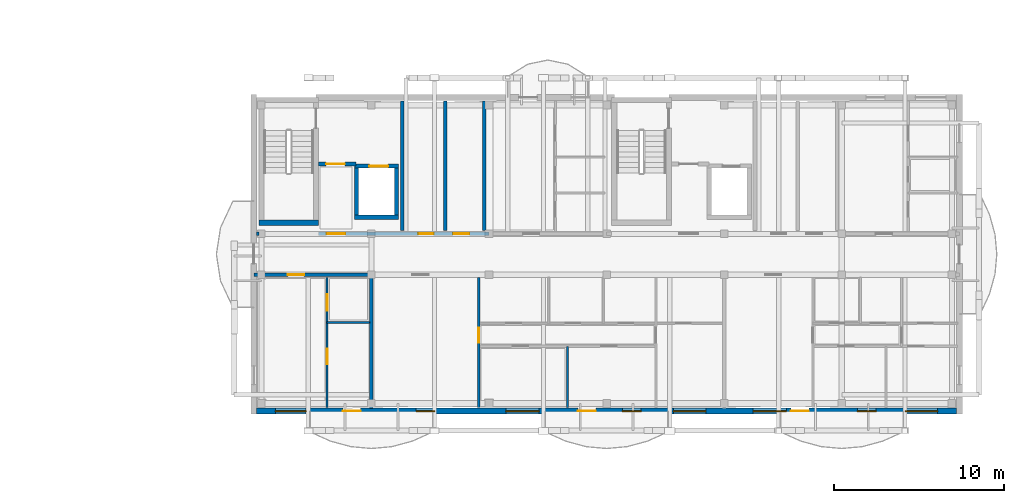
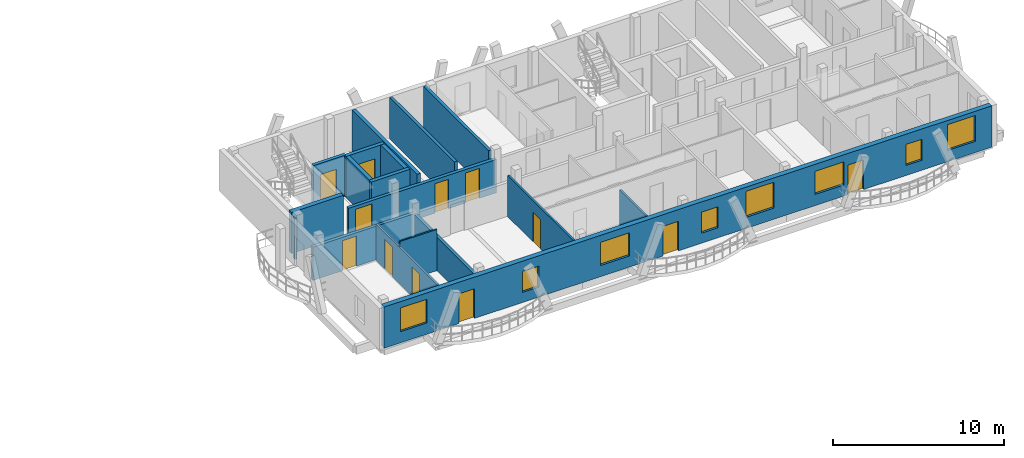
# One storey, part 25 of 42: 18 walls, 12 doors, 8 windows, 20 openings.
"""IFC4 building model written with IfcOpenShell, lengths in metres."""

from ifc_helpers import new_model, si_unit, direction, frame, frame_2d, origin, origin_with_axes, place, context, subcontext, project, spatial, rectangle, extrude, material, layer, layer_set, type_object, element, fill, save


model = new_model("IFC4")

# Units and contexts
model_context = context("Model", 3, precision=1e-05, world=origin(), true_north=direction((0.0, 1.0)))
body_context = subcontext(model_context, "Body", "Model", "MODEL_VIEW")
ifc_project = project(units=[si_unit("LENGTHUNIT", "METRE"), si_unit("AREAUNIT", "SQUARE_METRE"), si_unit("VOLUMEUNIT", "CUBIC_METRE"), si_unit("PLANEANGLEUNIT", "RADIAN"), si_unit("MASSUNIT", "GRAM", prefix="KILO")], contexts=[model_context])

# Site, building, storey
site_placement = place(None, origin())
site = spatial("IfcSite", under=ifc_project, at=site_placement, CompositionType="ELEMENT")
building_placement = place(site_placement, origin())
building = spatial("IfcBuilding", under=site, at=building_placement, Name="Zavelmont Quarter", CompositionType="ELEMENT")
storey_placement = place(building_placement, frame((0.0, 0.0, 24.0)))
storey = spatial("IfcBuildingStorey", under=building, at=storey_placement, Name="L07", CompositionType="ELEMENT", Elevation=24.0)

# Wall, openings, doors, windows
ifc_material_1 = material(Name="Natural Belgian limestone", Category="masonry")
ifc_layer_1 = layer(ifc_material_1, 0.340087890625)
ifc_layer_set_1 = layer_set([ifc_layer_1], Name="Natural Belgian limestone")
wall_type_1 = type_object("IfcWallType", Name="EW03", PredefinedType="STANDARD", material=ifc_layer_set_1)
wall_1_placement = place(storey_placement, frame((126.760009765625, 0.0, 0.0), z_axis=(0.0, 0.0, 1.0), x_axis=(1.0, 0.0, 0.0)))
wall_1 = element("IfcWall", 1, at=wall_1_placement, inside=storey, type_object=wall_type_1, Name="L07 exterior limestone wall EW03", PredefinedType="STANDARD", context=body_context, shape_type="SweptSolid", body=[
    extrude(rectangle(XDim=41.080078125, YDim=0.340087890625, at=frame_2d((20.5400390625, 0.0))), origin(), (0.0, 0.0, 1.0), 2.949951171875),
])
opening_1_placement = place(wall_1_placement, frame((5.06005859375, 0.0, 0.0)))
opening_1 = element("IfcOpeningElement", 2, at=opening_1_placement, cuts=wall_1, Name="Opening DR04A", PredefinedType="OPENING", context=body_context, shape_type="SweptSolid", body=[
    extrude(rectangle(XDim=1.050048828125, YDim=2.1201171875, at=frame_2d((0.52490234375, 1.06005859375))), frame((0.0, 0.18212890625, 0.0), z_axis=(0.0, -1.0, 0.0), x_axis=(1.0, 0.0, 0.0)), (0.0, 0.0, 1.0), 0.364013671875),
])
opening_2_placement = place(wall_1_placement, frame((18.860107421875, 0.0, 0.0)))
opening_2 = element("IfcOpeningElement", 3, at=opening_2_placement, cuts=wall_1, Name="Opening DR04A", PredefinedType="OPENING", context=body_context, shape_type="SweptSolid", body=[
    extrude(rectangle(XDim=1.050048828125, YDim=2.1201171875, at=frame_2d((0.52490234375, 1.06005859375))), frame((0.0, 0.18212890625, 0.0), z_axis=(0.0, -1.0, 0.0), x_axis=(1.0, 0.0, 0.0)), (0.0, 0.0, 1.0), 0.364013671875),
])
opening_3_placement = place(wall_1_placement, frame((31.358642578125, 0.0, 0.0)))
opening_3 = element("IfcOpeningElement", 4, at=opening_3_placement, cuts=wall_1, Name="Opening DR04A", PredefinedType="OPENING", context=body_context, shape_type="SweptSolid", body=[
    extrude(rectangle(XDim=1.050048828125, YDim=2.1201171875, at=frame_2d((0.52490234375, 1.06005859375))), frame((0.0, 0.18212890625, 0.0), z_axis=(0.0, -1.0, 0.0), x_axis=(1.0, 0.0, 0.0)), (0.0, 0.0, 1.0), 0.364013671875),
])
opening_4_placement = place(wall_1_placement, frame((1.110107421875, 0.0, 0.800048828125)))
opening_4 = element("IfcOpeningElement", 5, at=opening_4_placement, cuts=wall_1, Name="Opening WN02", PredefinedType="OPENING", context=body_context, shape_type="SweptSolid", body=[
    extrude(rectangle(XDim=1.800048828125, YDim=1.699951171875, at=frame_2d((0.89990234375, 0.85009765625))), frame((0.0, 0.18212890625, 0.0), z_axis=(0.0, -1.0, 0.0), x_axis=(1.0, 0.0, 0.0)), (0.0, 0.0, 1.0), 0.364013671875),
])
opening_5_placement = place(wall_1_placement, frame((9.360107421875, 0.0, 0.719970703125)))
opening_5 = element("IfcOpeningElement", 6, at=opening_5_placement, cuts=wall_1, Name="Opening WN09", PredefinedType="OPENING", context=body_context, shape_type="SweptSolid", body=[
    extrude(rectangle(XDim=1.10009765625, YDim=1.5, at=frame_2d((0.550048828125, 0.75))), frame((0.0, 0.18212890625, 0.0), z_axis=(0.0, -1.0, 0.0), x_axis=(1.0, 0.0, 0.0)), (0.0, 0.0, 1.0), 0.364013671875),
])
opening_6_placement = place(wall_1_placement, frame((14.635009765625, 0.0, 0.800048828125)))
opening_6 = element("IfcOpeningElement", 7, at=opening_6_placement, cuts=wall_1, Name="Opening WN24", PredefinedType="OPENING", context=body_context, shape_type="SweptSolid", body=[
    extrude(rectangle(XDim=1.949951171875, YDim=1.64990234375, at=frame_2d((0.97509765625, 0.824951171875))), frame((0.0, 0.18212890625, 0.0), z_axis=(0.0, -1.0, 0.0), x_axis=(1.0, 0.0, 0.0)), (0.0, 0.0, 1.0), 0.364013671875),
])
opening_7_placement = place(wall_1_placement, frame((21.4599609375, 0.0, 0.719970703125)))
opening_7 = element("IfcOpeningElement", 8, at=opening_7_placement, cuts=wall_1, Name="Opening WN09", PredefinedType="OPENING", context=body_context, shape_type="SweptSolid", body=[
    extrude(rectangle(XDim=1.10009765625, YDim=1.5, at=frame_2d((0.550048828125, 0.75))), frame((0.0, 0.18212890625, 0.0), z_axis=(0.0, -1.0, 0.0), x_axis=(1.0, 0.0, 0.0)), (0.0, 0.0, 1.0), 0.364013671875),
])
opening_8_placement = place(wall_1_placement, frame((24.4599609375, 0.0, 0.800048828125)))
opening_8 = element("IfcOpeningElement", 9, at=opening_8_placement, cuts=wall_1, Name="Opening WN20", PredefinedType="OPENING", context=body_context, shape_type="SweptSolid", body=[
    extrude(rectangle(XDim=1.89990234375, YDim=1.85009765625, at=frame_2d((0.949951171875, 0.925048828125))), frame((0.0, 0.18212890625, 0.0), z_axis=(0.0, -1.0, 0.0), x_axis=(1.0, 0.0, 0.0)), (0.0, 0.0, 1.0), 0.364013671875),
])
opening_9_placement = place(wall_1_placement, frame((29.135009765625, 0.0, 0.800048828125)))
opening_9 = element("IfcOpeningElement", 10, at=opening_9_placement, cuts=wall_1, Name="Opening WN24", PredefinedType="OPENING", context=body_context, shape_type="SweptSolid", body=[
    extrude(rectangle(XDim=1.949951171875, YDim=1.64990234375, at=frame_2d((0.97509765625, 0.824951171875))), frame((0.0, 0.18212890625, 0.0), z_axis=(0.0, -1.0, 0.0), x_axis=(1.0, 0.0, 0.0)), (0.0, 0.0, 1.0), 0.364013671875),
])
opening_10_placement = place(wall_1_placement, frame((35.260009765625, 0.0, 0.719970703125)))
opening_10 = element("IfcOpeningElement", 11, at=opening_10_placement, cuts=wall_1, Name="Opening WN09", PredefinedType="OPENING", context=body_context, shape_type="SweptSolid", body=[
    extrude(rectangle(XDim=1.10009765625, YDim=1.5, at=frame_2d((0.550048828125, 0.75))), frame((0.0, 0.18212890625, 0.0), z_axis=(0.0, -1.0, 0.0), x_axis=(1.0, 0.0, 0.0)), (0.0, 0.0, 1.0), 0.364013671875),
])
opening_11_placement = place(wall_1_placement, frame((38.06005859375, 0.0, 0.800048828125)))
opening_11 = element("IfcOpeningElement", 12, at=opening_11_placement, cuts=wall_1, Name="Opening WN20", PredefinedType="OPENING", context=body_context, shape_type="SweptSolid", body=[
    extrude(rectangle(XDim=1.89990234375, YDim=1.85009765625, at=frame_2d((0.949951171875, 0.925048828125))), frame((0.0, 0.18212890625, 0.0), z_axis=(0.0, -1.0, 0.0), x_axis=(1.0, 0.0, 0.0)), (0.0, 0.0, 1.0), 0.364013671875),
])
ifc_material_2 = material(Name="Thermally broken aluminium and double safety glass", Category="aluminium")
door_type_1 = type_object("IfcDoorType", Name="DR04A", OperationType="NOTDEFINED", PredefinedType="DOOR", material=ifc_material_2)
door_1_placement = place(opening_1_placement, origin_with_axes())
door_1 = element("IfcDoor", 13, at=door_1_placement, inside=storey, type_object=door_type_1, Name="Block D L07 glazed balcony door", OperationType="SINGLE_SWING_RIGHT", OverallHeight=2.1201171875, OverallWidth=1.050048828125, PredefinedType="DOOR", context=body_context, shape_type="SweptSolid", body=[
    extrude(rectangle(XDim=1.050048828125, YDim=2.1201171875, at=frame_2d((0.52490234375, 1.06005859375))), frame((0.0, 0.02490234375, 0.0), z_axis=(0.0, -1.0, 0.0), x_axis=(1.0, 0.0, 0.0)), (0.0, 0.0, 1.0), 0.050048828125),
])
fill(opening_1, door_1)
door_2_placement = place(opening_2_placement, origin_with_axes())
door_2 = element("IfcDoor", 14, at=door_2_placement, inside=storey, type_object=door_type_1, Name="Block D L07 glazed balcony door", OperationType="SINGLE_SWING_RIGHT", OverallHeight=2.1201171875, OverallWidth=1.050048828125, PredefinedType="DOOR", context=body_context, shape_type="SweptSolid", body=[
    extrude(rectangle(XDim=1.050048828125, YDim=2.1201171875, at=frame_2d((0.52490234375, 1.06005859375))), frame((0.0, 0.02490234375, 0.0), z_axis=(0.0, -1.0, 0.0), x_axis=(1.0, 0.0, 0.0)), (0.0, 0.0, 1.0), 0.050048828125),
])
fill(opening_2, door_2)
door_3_placement = place(opening_3_placement, origin_with_axes())
door_3 = element("IfcDoor", 15, at=door_3_placement, inside=storey, type_object=door_type_1, Name="Block D L07 glazed balcony door", OperationType="SINGLE_SWING_RIGHT", OverallHeight=2.1201171875, OverallWidth=1.050048828125, PredefinedType="DOOR", context=body_context, shape_type="SweptSolid", body=[
    extrude(rectangle(XDim=1.050048828125, YDim=2.1201171875, at=frame_2d((0.52490234375, 1.06005859375))), frame((0.0, 0.02490234375, 0.0), z_axis=(0.0, -1.0, 0.0), x_axis=(1.0, 0.0, 0.0)), (0.0, 0.0, 1.0), 0.050048828125),
])
fill(opening_3, door_3)
ifc_material_3 = material(Name="Double low-E insulated glazing in thermally broken aluminium frame", Category="aluminium")
window_type_1 = type_object("IfcWindowType", Name="WN02", PartitioningType="SINGLE_PANEL", PredefinedType="WINDOW", material=ifc_material_3)
window_1_placement = place(opening_4_placement, origin_with_axes())
window_1 = element("IfcWindow", 16, at=window_1_placement, inside=storey, type_object=window_type_1, Name="L07 window WN02", OverallHeight=1.699951171875, OverallWidth=1.800048828125, PartitioningType="SINGLE_PANEL", PredefinedType="WINDOW", context=body_context, shape_type="SweptSolid", body=[
    extrude(rectangle(XDim=1.800048828125, YDim=1.699951171875, at=frame_2d((0.89990234375, 0.85009765625))), frame((0.0, 0.030029296875, 0.0), z_axis=(0.0, -1.0, 0.0), x_axis=(1.0, 0.0, 0.0)), (0.0, 0.0, 1.0), 0.06005859375),
])
fill(opening_4, window_1)
window_type_2 = type_object("IfcWindowType", Name="WN09", PartitioningType="SINGLE_PANEL", PredefinedType="WINDOW", material=ifc_material_3)
window_2_placement = place(opening_5_placement, origin_with_axes())
window_2 = element("IfcWindow", 17, at=window_2_placement, inside=storey, type_object=window_type_2, Name="L07 window WN09", OverallHeight=1.5, OverallWidth=1.10009765625, PartitioningType="SINGLE_PANEL", PredefinedType="WINDOW", context=body_context, shape_type="SweptSolid", body=[
    extrude(rectangle(XDim=1.10009765625, YDim=1.5, at=frame_2d((0.550048828125, 0.75))), frame((0.0, 0.030029296875, 0.0), z_axis=(0.0, -1.0, 0.0), x_axis=(1.0, 0.0, 0.0)), (0.0, 0.0, 1.0), 0.06005859375),
])
fill(opening_5, window_2)
window_3_placement = place(opening_7_placement, origin_with_axes())
window_3 = element("IfcWindow", 18, at=window_3_placement, inside=storey, type_object=window_type_2, Name="L07 window WN09", OverallHeight=1.5, OverallWidth=1.10009765625, PartitioningType="SINGLE_PANEL", PredefinedType="WINDOW", context=body_context, shape_type="SweptSolid", body=[
    extrude(rectangle(XDim=1.10009765625, YDim=1.5, at=frame_2d((0.550048828125, 0.75))), frame((0.0, 0.030029296875, 0.0), z_axis=(0.0, -1.0, 0.0), x_axis=(1.0, 0.0, 0.0)), (0.0, 0.0, 1.0), 0.06005859375),
])
fill(opening_7, window_3)
window_4_placement = place(opening_10_placement, origin_with_axes())
window_4 = element("IfcWindow", 19, at=window_4_placement, inside=storey, type_object=window_type_2, Name="L07 window WN09", OverallHeight=1.5, OverallWidth=1.10009765625, PartitioningType="SINGLE_PANEL", PredefinedType="WINDOW", context=body_context, shape_type="SweptSolid", body=[
    extrude(rectangle(XDim=1.10009765625, YDim=1.5, at=frame_2d((0.550048828125, 0.75))), frame((0.0, 0.030029296875, 0.0), z_axis=(0.0, -1.0, 0.0), x_axis=(1.0, 0.0, 0.0)), (0.0, 0.0, 1.0), 0.06005859375),
])
fill(opening_10, window_4)
window_type_3 = type_object("IfcWindowType", Name="WN20", PartitioningType="SINGLE_PANEL", PredefinedType="WINDOW", material=ifc_material_3)
window_5_placement = place(opening_8_placement, origin_with_axes())
window_5 = element("IfcWindow", 20, at=window_5_placement, inside=storey, type_object=window_type_3, Name="L07 window WN20", OverallHeight=1.85009765625, OverallWidth=1.89990234375, PartitioningType="SINGLE_PANEL", PredefinedType="WINDOW", context=body_context, shape_type="SweptSolid", body=[
    extrude(rectangle(XDim=1.89990234375, YDim=1.85009765625, at=frame_2d((0.949951171875, 0.925048828125))), frame((0.0, 0.030029296875, 0.0), z_axis=(0.0, -1.0, 0.0), x_axis=(1.0, 0.0, 0.0)), (0.0, 0.0, 1.0), 0.06005859375),
])
fill(opening_8, window_5)
window_6_placement = place(opening_11_placement, origin_with_axes())
window_6 = element("IfcWindow", 21, at=window_6_placement, inside=storey, type_object=window_type_3, Name="L07 window WN20", OverallHeight=1.85009765625, OverallWidth=1.89990234375, PartitioningType="SINGLE_PANEL", PredefinedType="WINDOW", context=body_context, shape_type="SweptSolid", body=[
    extrude(rectangle(XDim=1.89990234375, YDim=1.85009765625, at=frame_2d((0.949951171875, 0.925048828125))), frame((0.0, 0.030029296875, 0.0), z_axis=(0.0, -1.0, 0.0), x_axis=(1.0, 0.0, 0.0)), (0.0, 0.0, 1.0), 0.06005859375),
])
fill(opening_11, window_6)
window_type_4 = type_object("IfcWindowType", Name="WN24", PartitioningType="SINGLE_PANEL", PredefinedType="WINDOW", material=ifc_material_3)
window_7_placement = place(opening_6_placement, origin_with_axes())
window_7 = element("IfcWindow", 22, at=window_7_placement, inside=storey, type_object=window_type_4, Name="L07 window WN24", OverallHeight=1.64990234375, OverallWidth=1.949951171875, PartitioningType="SINGLE_PANEL", PredefinedType="WINDOW", context=body_context, shape_type="SweptSolid", body=[
    extrude(rectangle(XDim=1.949951171875, YDim=1.64990234375, at=frame_2d((0.97509765625, 0.824951171875))), frame((0.0, 0.030029296875, 0.0), z_axis=(0.0, -1.0, 0.0), x_axis=(1.0, 0.0, 0.0)), (0.0, 0.0, 1.0), 0.06005859375),
])
fill(opening_6, window_7)
window_8_placement = place(opening_9_placement, origin_with_axes())
window_8 = element("IfcWindow", 23, at=window_8_placement, inside=storey, type_object=window_type_4, Name="L07 window WN24", OverallHeight=1.64990234375, OverallWidth=1.949951171875, PartitioningType="SINGLE_PANEL", PredefinedType="WINDOW", context=body_context, shape_type="SweptSolid", body=[
    extrude(rectangle(XDim=1.949951171875, YDim=1.64990234375, at=frame_2d((0.97509765625, 0.824951171875))), frame((0.0, 0.030029296875, 0.0), z_axis=(0.0, -1.0, 0.0), x_axis=(1.0, 0.0, 0.0)), (0.0, 0.0, 1.0), 0.06005859375),
])
fill(opening_9, window_8)

# Walls
ifc_material_4 = material(Name="Calcium-silicate blockwork and acoustic plaster", Category="masonry")
ifc_layer_2 = layer(ifc_material_4, 0.199951171875)
ifc_layer_set_2 = layer_set([ifc_layer_2], Name="Calcium-silicate blockwork and acoustic plaster")
wall_type_2 = type_object("IfcWallType", Name="IW01", PredefinedType="PARTITIONING", material=ifc_layer_set_2)
for number, where, z_axis, x_axis, name in (
    (24, (137.824951171875, 10.60009765625, 0.0), (0.0, 0.0, 1.0), (0.0, 1.0, 0.0), "L07 Service riser divider wall IW01"),
    (25, (140.1201171875, 10.60009765625, 0.0), (0.0, 0.0, 1.0), (0.0, 1.0, 0.0), "L07 Core service end wall IW01"),
):
    element("IfcWall", number, at=place(storey_placement, frame(where, z_axis=z_axis, x_axis=x_axis)), inside=storey, type_object=wall_type_2, Name=name, PredefinedType="PARTITIONING", context=body_context, shape_type="SweptSolid", body=[
        extrude(rectangle(XDim=7.599853515625, YDim=0.199951171875, at=frame_2d((3.7998046875, 0.0))), origin(), (0.0, 0.0, 1.0), 2.949951171875),
    ])
wall_2_placement = place(storey_placement, frame((133.5, 7.85009765625, 0.0), z_axis=(0.0, 0.0, 1.0), x_axis=(0.0, -1.0, 0.0)))
element("IfcWall", 26, at=wall_2_placement, inside=storey, type_object=wall_type_2, Name="L07 Inter-dwelling compartment wall IW01", PredefinedType="PARTITIONING", context=body_context, shape_type="SweptSolid", body=[
    extrude(rectangle(XDim=7.7001953125, YDim=0.199951171875, at=frame_2d((3.85009765625, 0.0))), origin(), (0.0, 0.0, 1.0), 2.389892578125),
])

# Wall, opening, door
wall_3_placement = place(storey_placement, frame((126.60009765625, 8.0, 0.0), z_axis=(0.0, 0.0, 1.0), x_axis=(1.0, 0.0, 0.0)))
wall_3 = element("IfcWall", 27, at=wall_3_placement, inside=storey, type_object=wall_type_2, Name="L07 Corridor compartment wall IW01", PredefinedType="PARTITIONING", context=body_context, shape_type="SweptSolid", body=[
    extrude(rectangle(XDim=6.89990234375, YDim=0.199951171875, at=frame_2d((3.449951171875, 0.0))), origin(), (0.0, 0.0, 1.0), 2.389892578125),
])
opening_12_placement = place(wall_3_placement, frame((2.0, 0.0, 0.0)))
opening_12 = element("IfcOpeningElement", 28, at=opening_12_placement, cuts=wall_3, Name="Opening DR02", PredefinedType="OPENING", context=body_context, shape_type="SweptSolid", body=[
    extrude(rectangle(XDim=0.949951171875, YDim=2.14990234375, at=frame_2d((0.47509765625, 1.074951171875))), frame((0.0, 0.11181640625, 0.0), z_axis=(0.0, -1.0, 0.0), x_axis=(1.0, 0.0, 0.0)), (0.0, 0.0, 1.0), 0.223876953125),
])
ifc_material_5 = material(Name="Solid-core oak fire leaf in steel frame", Category="steel")
door_type_2 = type_object("IfcDoorType", Name="DR02", OperationType="NOTDEFINED", PredefinedType="DOOR", material=ifc_material_5)
door_4_placement = place(opening_12_placement, frame((0.949951171875, 0.0, 0.0), z_axis=(0.0, 0.0, 1.0), x_axis=(-1.0, 0.0, 0.0)))
door_4 = element("IfcDoor", 29, at=door_4_placement, inside=storey, type_object=door_type_2, Name="L07 door DR02", OperationType="SINGLE_SWING_LEFT", OverallHeight=2.14990234375, OverallWidth=0.949951171875, PredefinedType="DOOR", context=body_context, shape_type="SweptSolid", body=[
    extrude(rectangle(XDim=0.949951171875, YDim=2.14990234375, at=frame_2d((0.47509765625, 1.074951171875))), frame((0.0, 0.02490234375, 0.0), z_axis=(0.0, -1.0, 0.0), x_axis=(1.0, 0.0, 0.0)), (0.0, 0.0, 1.0), 0.050048828125),
])
fill(opening_12, door_4)

# Wall
ifc_material_6 = material(Name="Reinforced masonry fire compartment wall", Category="masonry")
ifc_layer_3 = layer(ifc_material_6, 0.22509765625)
ifc_layer_set_3 = layer_set([ifc_layer_3], Name="Reinforced masonry fire compartment wall")
wall_type_3 = type_object("IfcWallType", Name="IW02", PredefinedType="PARTITIONING", material=ifc_layer_set_3)
wall_4_placement = place(storey_placement, frame((135.31005859375, 10.60009765625, 0.0), z_axis=(0.0, 0.0, 1.0), x_axis=(0.0, 1.0, 0.0)))
element("IfcWall", 30, at=wall_4_placement, inside=storey, type_object=wall_type_3, Name="L07 Firefighting lobby enclosure wall IW02", PredefinedType="PARTITIONING", context=body_context, shape_type="SweptSolid", body=[
    extrude(rectangle(XDim=7.599853515625, YDim=0.22509765625, at=frame_2d((3.7998046875, 0.0))), origin(), (0.0, 0.0, 1.0), 2.949951171875),
])

# Wall, opening, door
wall_5_placement = place(storey_placement, frame((130.39990234375, 14.5, 0.0), z_axis=(0.0, 0.0, 1.0), x_axis=(1.0, 0.0, 0.0)))
wall_5 = element("IfcWall", 31, at=wall_5_placement, inside=storey, type_object=wall_type_3, Name="L07 Firefighting lobby threshold wall IW02", PredefinedType="PARTITIONING", context=body_context, shape_type="SweptSolid", body=[
    extrude(rectangle(XDim=2.2001953125, YDim=0.22509765625, at=frame_2d((1.10009765625, 0.0))), origin(), (0.0, 0.0, 1.0), 2.949951171875),
])
opening_13_placement = place(wall_5_placement, frame((0.449951171875, 0.0, 0.0)))
opening_13 = element("IfcOpeningElement", 32, at=opening_13_placement, cuts=wall_5, Name="Opening DR10", PredefinedType="OPENING", context=body_context, shape_type="SweptSolid", body=[
    extrude(rectangle(XDim=1.10009765625, YDim=2.14990234375, at=frame_2d((0.550048828125, 1.074951171875))), frame((0.0, 0.12451171875, 0.0), z_axis=(0.0, -1.0, 0.0), x_axis=(1.0, 0.0, 0.0)), (0.0, 0.0, 1.0), 0.2490234375),
])
ifc_material_7 = material(Name="Painted steel lobby fire door", Category="steel")
door_type_3 = type_object("IfcDoorType", Name="DR10", OperationType="NOTDEFINED", PredefinedType="DOOR", material=ifc_material_7)
door_5_placement = place(opening_13_placement, origin_with_axes())
door_5 = element("IfcDoor", 33, at=door_5_placement, inside=storey, type_object=door_type_3, Name="Firefighting lobby fire door", OperationType="SINGLE_SWING_LEFT", OverallHeight=2.14990234375, OverallWidth=1.10009765625, PredefinedType="DOOR", context=body_context, shape_type="SweptSolid", body=[
    extrude(rectangle(XDim=1.10009765625, YDim=2.14990234375, at=frame_2d((0.550048828125, 1.074951171875))), frame((0.0, 0.02490234375, 0.0), z_axis=(0.0, -1.0, 0.0), x_axis=(1.0, 0.0, 0.0)), (0.0, 0.0, 1.0), 0.050048828125),
])
fill(opening_13, door_5)

# Wall
wall_6_placement = place(storey_placement, frame((126.75, 10.39990234375, 0.0), z_axis=(0.0, 0.0, 1.0), x_axis=(1.0, 0.0, 0.0)))
element("IfcWall", 34, at=wall_6_placement, inside=storey, type_object=wall_type_3, Name="L07 Core corridor wall IW02", PredefinedType="PARTITIONING", context=body_context, shape_type="SweptSolid", body=[
    extrude(rectangle(XDim=0.14990234375, YDim=0.22509765625, at=frame_2d((0.074951171875, 0.0))), origin(), (0.0, 0.0, 1.0), 2.949951171875),
])

# Wall, openings, doors
wall_7_placement = place(storey_placement, frame((130.39990234375, 10.39990234375, 0.0), z_axis=(0.0, 0.0, 1.0), x_axis=(1.0, 0.0, 0.0)))
wall_7 = element("IfcWall", 35, at=wall_7_placement, inside=storey, type_object=wall_type_3, Name="L07 Core corridor fire wall IW02", PredefinedType="PARTITIONING", context=body_context, shape_type="SweptSolid", body=[
    extrude(rectangle(XDim=10.0, YDim=0.22509765625, at=frame_2d((5.0, 0.0))), origin(), (0.0, 0.0, 1.0), 2.389892578125),
])
opening_14_placement = place(wall_7_placement, frame((0.47509765625, 0.0, 0.0)))
opening_14 = element("IfcOpeningElement", 36, at=opening_14_placement, cuts=wall_7, Name="Opening DR10", PredefinedType="OPENING", context=body_context, shape_type="SweptSolid", body=[
    extrude(rectangle(XDim=1.10009765625, YDim=2.14990234375, at=frame_2d((0.550048828125, 1.074951171875))), frame((0.0, 0.12451171875, 0.0), z_axis=(0.0, -1.0, 0.0), x_axis=(1.0, 0.0, 0.0)), (0.0, 0.0, 1.0), 0.2490234375),
])
opening_15_placement = place(wall_7_placement, frame((5.85009765625, 0.0, 0.0)))
opening_15 = element("IfcOpeningElement", 37, at=opening_15_placement, cuts=wall_7, Name="Opening DR11", PredefinedType="OPENING", context=body_context, shape_type="SweptSolid", body=[
    extrude(rectangle(XDim=0.89990234375, YDim=2.10009765625, at=frame_2d((0.449951171875, 1.050048828125))), frame((0.0, 0.12451171875, 0.0), z_axis=(0.0, -1.0, 0.0), x_axis=(1.0, 0.0, 0.0)), (0.0, 0.0, 1.0), 0.2490234375),
])
opening_16_placement = place(wall_7_placement, frame((7.89990234375, 0.0, 0.0)))
opening_16 = element("IfcOpeningElement", 38, at=opening_16_placement, cuts=wall_7, Name="Opening DR02", PredefinedType="OPENING", context=body_context, shape_type="SweptSolid", body=[
    extrude(rectangle(XDim=0.949951171875, YDim=2.14990234375, at=frame_2d((0.47509765625, 1.074951171875))), frame((0.0, 0.12451171875, 0.0), z_axis=(0.0, -1.0, 0.0), x_axis=(1.0, 0.0, 0.0)), (0.0, 0.0, 1.0), 0.2490234375),
])
door_6_placement = place(opening_16_placement, frame((0.949951171875, 0.0, 0.0), z_axis=(0.0, 0.0, 1.0), x_axis=(-1.0, 0.0, 0.0)))
door_6 = element("IfcDoor", 39, at=door_6_placement, inside=storey, type_object=door_type_2, Name="Auxiliary store corridor door", OperationType="SINGLE_SWING_RIGHT", OverallHeight=2.14990234375, OverallWidth=0.949951171875, PredefinedType="DOOR", context=body_context, shape_type="SweptSolid", body=[
    extrude(rectangle(XDim=0.949951171875, YDim=2.14990234375, at=frame_2d((0.47509765625, 1.074951171875))), frame((0.0, 0.02490234375, 0.0), z_axis=(0.0, -1.0, 0.0), x_axis=(1.0, 0.0, 0.0)), (0.0, 0.0, 1.0), 0.050048828125),
])
fill(opening_16, door_6)
door_7_placement = place(opening_14_placement, origin_with_axes())
door_7 = element("IfcDoor", 40, at=door_7_placement, inside=storey, type_object=door_type_3, Name="Core vestibule fire door", OperationType="SINGLE_SWING_RIGHT", OverallHeight=2.14990234375, OverallWidth=1.10009765625, PredefinedType="DOOR", context=body_context, shape_type="SweptSolid", body=[
    extrude(rectangle(XDim=1.10009765625, YDim=2.14990234375, at=frame_2d((0.550048828125, 1.074951171875))), frame((0.0, 0.02490234375, 0.0), z_axis=(0.0, -1.0, 0.0), x_axis=(1.0, 0.0, 0.0)), (0.0, 0.0, 1.0), 0.050048828125),
])
fill(opening_14, door_7)
ifc_material_8 = material(Name="Painted steel service-riser fire door", Category="steel")
door_type_4 = type_object("IfcDoorType", Name="DR11", OperationType="NOTDEFINED", PredefinedType="DOOR", material=ifc_material_8)
door_8_placement = place(opening_15_placement, frame((0.89990234375, 0.0, 0.0), z_axis=(0.0, 0.0, 1.0), x_axis=(-1.0, 0.0, 0.0)))
door_8 = element("IfcDoor", 41, at=door_8_placement, inside=storey, type_object=door_type_4, Name="Service riser fire door", OperationType="SINGLE_SWING_LEFT", OverallHeight=2.10009765625, OverallWidth=0.89990234375, PredefinedType="DOOR", context=body_context, shape_type="SweptSolid", body=[
    extrude(rectangle(XDim=0.89990234375, YDim=2.10009765625, at=frame_2d((0.449951171875, 1.050048828125))), frame((0.0, 0.02490234375, 0.0), z_axis=(0.0, -1.0, 0.0), x_axis=(1.0, 0.0, 0.0)), (0.0, 0.0, 1.0), 0.050048828125),
])
fill(opening_15, door_8)

ifc_material_9 = material(Name="Double gypsum board on acoustic steel stud", Category="steel")
ifc_layer_4 = layer(ifc_material_9, 0.125)
ifc_layer_set_4 = layer_set([ifc_layer_4], Name="Double gypsum board on acoustic steel stud")
wall_type_4 = type_object("IfcWallType", Name="IW03", PredefinedType="PARTITIONING", material=ifc_layer_set_4)
wall_8_placement = place(storey_placement, frame((130.89990234375, 7.85009765625, 0.0), z_axis=(0.0, 0.0, 1.0), x_axis=(0.0, -1.0, 0.0)))
wall_8 = element("IfcWall", 42, at=wall_8_placement, inside=storey, type_object=wall_type_4, Name="L07 Partition IW03", PredefinedType="PARTITIONING", context=body_context, shape_type="SweptSolid", body=[
    extrude(rectangle(XDim=7.650146484375, YDim=0.125, at=frame_2d((3.8251953125, 0.0))), origin(), (0.0, 0.0, 1.0), 2.590087890625),
])
opening_17_placement = place(wall_8_placement, frame((1.0, 0.0, 0.0)))
opening_17 = element("IfcOpeningElement", 43, at=opening_17_placement, cuts=wall_8, Name="Opening DR17", PredefinedType="OPENING", context=body_context, shape_type="SweptSolid", body=[
    extrude(rectangle(XDim=0.949951171875, YDim=2.10009765625, at=frame_2d((0.47509765625, 1.050048828125))), frame((0.0, 0.074462890625, 0.0), z_axis=(0.0, -1.0, 0.0), x_axis=(1.0, 0.0, 0.0)), (0.0, 0.0, 1.0), 0.14892578125),
])
opening_18_placement = place(wall_8_placement, frame((4.199951171875, 0.0, 0.0)))
opening_18 = element("IfcOpeningElement", 44, at=opening_18_placement, cuts=wall_8, Name="Opening DR05", PredefinedType="OPENING", context=body_context, shape_type="SweptSolid", body=[
    extrude(rectangle(XDim=0.89990234375, YDim=2.10009765625, at=frame_2d((0.449951171875, 1.050048828125))), frame((0.0, 0.074462890625, 0.0), z_axis=(0.0, -1.0, 0.0), x_axis=(1.0, 0.0, 0.0)), (0.0, 0.0, 1.0), 0.14892578125),
])
ifc_material_10 = material(Name="Engineered oak flush interior door")
door_type_5 = type_object("IfcDoorType", Name="DR05", OperationType="NOTDEFINED", PredefinedType="DOOR", material=ifc_material_10)
door_9_placement = place(opening_18_placement, origin_with_axes())
door_9 = element("IfcDoor", 45, at=door_9_placement, inside=storey, type_object=door_type_5, Name="L07 door DR05", OperationType="SINGLE_SWING_RIGHT", OverallHeight=2.10009765625, OverallWidth=0.89990234375, PredefinedType="DOOR", context=body_context, shape_type="SweptSolid", body=[
    extrude(rectangle(XDim=0.89990234375, YDim=2.10009765625, at=frame_2d((0.449951171875, 1.050048828125))), frame((0.0, 0.02490234375, 0.0), z_axis=(0.0, -1.0, 0.0), x_axis=(1.0, 0.0, 0.0)), (0.0, 0.0, 1.0), 0.050048828125),
])
fill(opening_18, door_9)
ifc_material_11 = material(Name="Accessible washroom flush door")
door_type_6 = type_object("IfcDoorType", Name="DR17", OperationType="NOTDEFINED", PredefinedType="DOOR", material=ifc_material_11)
door_10_placement = place(opening_17_placement, frame((0.949951171875, 0.0, 0.0), z_axis=(0.0, 0.0, 1.0), x_axis=(-1.0, 0.0, 0.0)))
door_10 = element("IfcDoor", 46, at=door_10_placement, inside=storey, type_object=door_type_6, Name="L07 door DR17", OperationType="SINGLE_SWING_LEFT", OverallHeight=2.10009765625, OverallWidth=0.949951171875, PredefinedType="DOOR", context=body_context, shape_type="SweptSolid", body=[
    extrude(rectangle(XDim=0.949951171875, YDim=2.10009765625, at=frame_2d((0.47509765625, 1.050048828125))), frame((0.0, 0.02490234375, 0.0), z_axis=(0.0, -1.0, 0.0), x_axis=(1.0, 0.0, 0.0)), (0.0, 0.0, 1.0), 0.050048828125),
])
fill(opening_17, door_10)

# Wall, opening, door
wall_9_placement = place(storey_placement, frame((139.800048828125, 7.85009765625, 0.0), z_axis=(0.0, 0.0, 1.0), x_axis=(0.0, -1.0, 0.0)))
wall_9 = element("IfcWall", 47, at=wall_9_placement, inside=storey, type_object=wall_type_4, Name="L07 Partition IW03", PredefinedType="PARTITIONING", context=body_context, shape_type="SweptSolid", body=[
    extrude(rectangle(XDim=7.650146484375, YDim=0.125, at=frame_2d((3.8251953125, 0.0))), origin(), (0.0, 0.0, 1.0), 2.949951171875),
])
opening_19_placement = place(wall_9_placement, frame((2.949951171875, 0.0, 0.0)))
opening_19 = element("IfcOpeningElement", 48, at=opening_19_placement, cuts=wall_9, Name="Opening DR05", PredefinedType="OPENING", context=body_context, shape_type="SweptSolid", body=[
    extrude(rectangle(XDim=0.89990234375, YDim=2.10009765625, at=frame_2d((0.449951171875, 1.050048828125))), frame((0.0, 0.074462890625, 0.0), z_axis=(0.0, -1.0, 0.0), x_axis=(1.0, 0.0, 0.0)), (0.0, 0.0, 1.0), 0.14892578125),
])
door_11_placement = place(opening_19_placement, origin_with_axes())
door_11 = element("IfcDoor", 49, at=door_11_placement, inside=storey, type_object=door_type_5, Name="L07 door DR05", OperationType="SINGLE_SWING_LEFT", OverallHeight=2.10009765625, OverallWidth=0.89990234375, PredefinedType="DOOR", context=body_context, shape_type="SweptSolid", body=[
    extrude(rectangle(XDim=0.89990234375, YDim=2.10009765625, at=frame_2d((0.449951171875, 1.050048828125))), frame((0.0, 0.02490234375, 0.0), z_axis=(0.0, -1.0, 0.0), x_axis=(1.0, 0.0, 0.0)), (0.0, 0.0, 1.0), 0.050048828125),
])
fill(opening_19, door_11)

# Walls
wall_10_placement = place(storey_placement, frame((145.0, 3.800048828125, 0.0), z_axis=(0.0, 0.0, 1.0), x_axis=(0.0, -1.0, 0.0)))
element("IfcWall", 50, at=wall_10_placement, inside=storey, type_object=wall_type_4, Name="L07 Partition IW03", PredefinedType="PARTITIONING", context=body_context, shape_type="SweptSolid", body=[
    extrude(rectangle(XDim=3.60009765625, YDim=0.125, at=frame_2d((1.800048828125, 0.0))), origin(), (0.0, 0.0, 1.0), 2.590087890625),
])
ifc_material_12 = material(Name="Moisture-resistant gypsum board on steel stud", Category="steel")
ifc_layer_5 = layer(ifc_material_12, 0.10009765625)
ifc_layer_set_5 = layer_set([ifc_layer_5], Name="Moisture-resistant gypsum board on steel stud")
wall_type_5 = type_object("IfcWallType", Name="IW04", PredefinedType="PARTITIONING", material=ifc_layer_set_5)
wall_11_placement = place(storey_placement, frame((130.89990234375, 5.199951171875, 0.0), z_axis=(0.0, 0.0, 1.0), x_axis=(1.0, 0.0, 0.0)))
element("IfcWall", 51, at=wall_11_placement, inside=storey, type_object=wall_type_5, Name="L07 Partition IW04", PredefinedType="PARTITIONING", context=body_context, shape_type="SweptSolid", body=[
    extrude(rectangle(XDim=2.5, YDim=0.10009765625, at=frame_2d((1.25, 0.0))), origin(), (0.0, 0.0, 1.0), 2.949951171875),
])
ifc_material_13 = material(Name="Concrete C40/50", Category="concrete")
ifc_layer_6 = layer(ifc_material_13, 0.300048828125)
ifc_layer_set_6 = layer_set([ifc_layer_6], Name="Concrete C40/50")
wall_type_6 = type_object("IfcWallType", Name="SW01", PredefinedType="SHEAR", material=ifc_layer_set_6)
wall_12_placement = place(storey_placement, frame((126.89990234375, 11.050048828125, 0.0), z_axis=(0.0, 0.0, 1.0), x_axis=(1.0, 0.0, 0.0)))
element("IfcWall", 52, at=wall_12_placement, inside=storey, type_object=wall_type_6, Name="L07 ST07 corridor shear wall SW01", PredefinedType="SHEAR", context=body_context, shape_type="SweptSolid", body=[
    extrude(rectangle(XDim=3.5, YDim=0.300048828125, at=frame_2d((1.75, 0.0))), origin(), (0.0, 0.0, 1.0), 2.949951171875),
])

# Wall, opening, door
ifc_layer_7 = layer(ifc_material_13, 0.25)
ifc_layer_set_7 = layer_set([ifc_layer_7], Name="Concrete C40/50")
wall_type_7 = type_object("IfcWallType", Name="SW02", PredefinedType="SHEAR", material=ifc_layer_set_7)
wall_13_placement = place(storey_placement, frame((132.5, 14.375, 0.0), z_axis=(0.0, 0.0, 1.0), x_axis=(1.0, 0.0, 0.0)))
wall_13 = element("IfcWall", 53, at=wall_13_placement, inside=storey, type_object=wall_type_7, Name="L07 Lift FL04 landing shaft wall SW02", PredefinedType="SHEAR", context=body_context, shape_type="SweptSolid", body=[
    extrude(rectangle(XDim=2.60009765625, YDim=0.25, at=frame_2d((1.300048828125, 0.0))), origin(), (0.0, 0.0, 1.0), 2.949951171875),
])
opening_20_placement = place(wall_13_placement, frame((0.875, 0.0, 0.0)))
opening_20 = element("IfcOpeningElement", 54, at=opening_20_placement, cuts=wall_13, Name="Opening LD02", PredefinedType="OPENING", context=body_context, shape_type="SweptSolid", body=[
    extrude(rectangle(XDim=1.10009765625, YDim=2.10009765625, at=frame_2d((0.550048828125, 1.050048828125))), frame((0.0, 0.136962890625, 0.0), z_axis=(0.0, -1.0, 0.0), x_axis=(1.0, 0.0, 0.0)), (0.0, 0.0, 1.0), 0.27392578125),
])
ifc_material_14 = material(Name="Brushed stainless-steel firefighting lift landing door", Category="steel")
door_type_7 = type_object("IfcDoorType", Name="LD02", OperationType="SLIDING_TO_LEFT", PredefinedType="DOOR", material=ifc_material_14)
door_12_placement = place(opening_20_placement, origin_with_axes())
door_12 = element("IfcDoor", 55, at=door_12_placement, inside=storey, type_object=door_type_7, Name="Lift FL04 sliding landing door", OperationType="SLIDING_TO_LEFT", OverallHeight=2.10009765625, OverallWidth=1.10009765625, PredefinedType="DOOR", context=body_context, shape_type="SweptSolid", body=[
    extrude(rectangle(XDim=1.10009765625, YDim=2.10009765625, at=frame_2d((0.550048828125, 1.050048828125))), frame((0.0, 0.02490234375, 0.0), z_axis=(0.0, -1.0, 0.0), x_axis=(1.0, 0.0, 0.0)), (0.0, 0.0, 1.0), 0.050048828125),
])
fill(opening_20, door_12)

# Walls
wall_14_placement = place(storey_placement, frame((132.5, 11.375, 0.0), z_axis=(0.0, 0.0, 1.0), x_axis=(1.0, 0.0, 0.0)))
element("IfcWall", 56, at=wall_14_placement, inside=storey, type_object=wall_type_7, Name="L07 Lift FL04 back shaft wall SW02", PredefinedType="SHEAR", context=body_context, shape_type="SweptSolid", body=[
    extrude(rectangle(XDim=2.60009765625, YDim=0.25, at=frame_2d((1.300048828125, 0.0))), origin(), (0.0, 0.0, 1.0), 2.949951171875),
])
for number, where, z_axis, x_axis, name in (
    (57, (132.625, 11.25, 0.0), (0.0, 0.0, 1.0), (0.0, 1.0, 0.0), "L07 Lift FL04 west shaft wall SW02"),
    (58, (134.97509765625, 11.25, 0.0), (0.0, 0.0, 1.0), (0.0, 1.0, 0.0), "L07 Lift FL04 east shaft wall SW02"),
):
    element("IfcWall", number, at=place(storey_placement, frame(where, z_axis=z_axis, x_axis=x_axis)), inside=storey, type_object=wall_type_7, Name=name, PredefinedType="SHEAR", context=body_context, shape_type="SweptSolid", body=[
        extrude(rectangle(XDim=3.25, YDim=0.25, at=frame_2d((1.625, 0.0))), origin(), (0.0, 0.0, 1.0), 2.949951171875),
    ])

save(model, "model.ifc")
